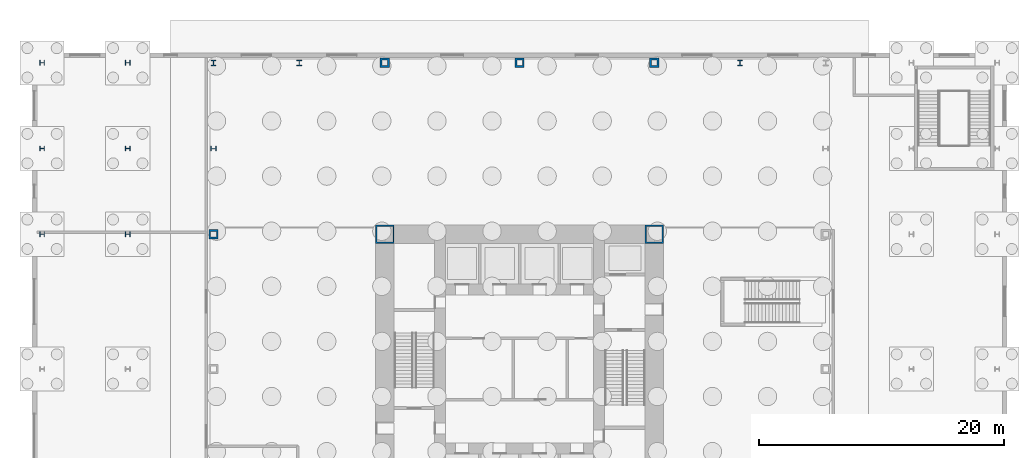
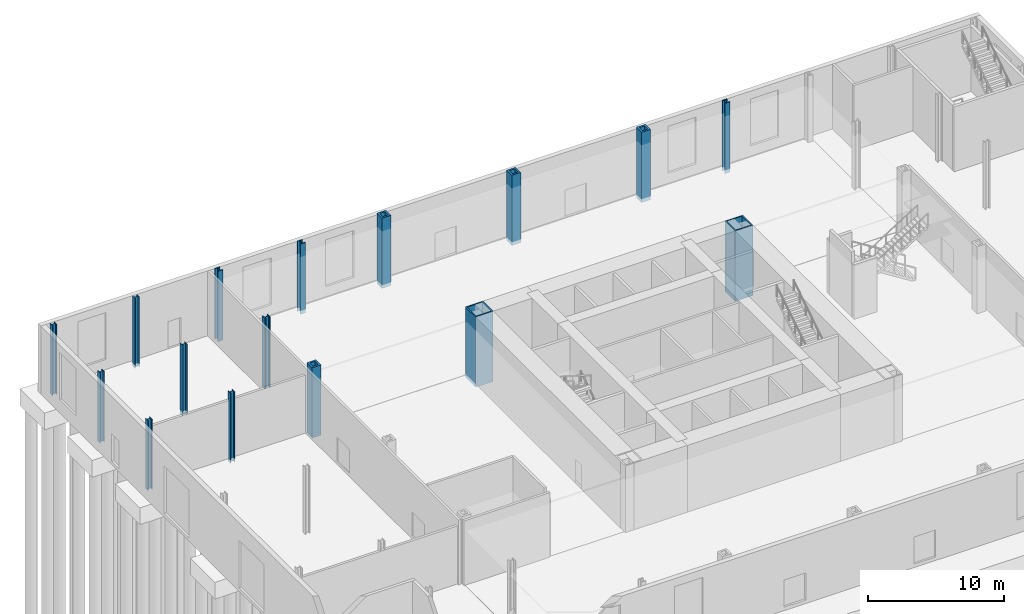
# One storey, part 5 of 16: 16 columns.
"""IFC4 building model written with IfcOpenShell, lengths in metres."""

from ifc_helpers import new_model, si_unit, direction, frame, origin, origin_2d, place, context, subcontext, project, spatial, hollow_rectangle, i_section, extrude, material, material_profile, profile_set, type_object, element, save


model = new_model("IFC4")

# Units and contexts
model_context = context("Model", 3, precision=1e-05, world=origin(), true_north=direction((0.0, 1.0)))
body_context = subcontext(model_context, "Body", "Model", "MODEL_VIEW")
ifc_project = project(units=[si_unit("LENGTHUNIT", "METRE"), si_unit("AREAUNIT", "SQUARE_METRE"), si_unit("VOLUMEUNIT", "CUBIC_METRE"), si_unit("PLANEANGLEUNIT", "RADIAN"), si_unit("MASSUNIT", "GRAM", prefix="KILO")], contexts=[model_context])

# Site, building, storey
site_placement = place(None, origin())
site = spatial("IfcSite", under=ifc_project, at=site_placement, CompositionType="ELEMENT")
building_placement = place(site_placement, origin())
building = spatial("IfcBuilding", under=site, at=building_placement, Name="Trevanion Tower", CompositionType="ELEMENT")
storey_placement = place(building_placement, origin())
storey = spatial("IfcBuildingStorey", under=building, at=storey_placement, Name="L00", CompositionType="ELEMENT", Elevation=0.0)

# Columns
ifc_material_1 = material(Name="Steel ASTM A588 Grade 50", Category="steel")
ifc_material_profile_1 = material_profile(ifc_material_1, hollow_rectangle(XDim=0.761962890625, YDim=0.761962890625, WallThickness=0.15234375, at=origin_2d()), Name="BOX30X30X6")
ifc_profile_set_1 = profile_set([ifc_material_profile_1], Name="Steel ASTM A588 Grade 50")
column_type_1 = type_object("IfcColumnType", Name="C1 BOX30X30X6", PredefinedType="COLUMN", material=ifc_profile_set_1)
for number, where, z_axis, x_axis, name in (
    (1, (11.0, 25.0, -0.300048828125), (0.0, 0.0, 1.0), (1.0, 0.0, 0.0), "C1 12/Q L00"),
    (2, (0.0, 25.0, -0.300048828125), (0.0, 0.0, 1.0), (1.0, 0.0, 0.0), "C1 10/Q L00"),
    (3, (-11.0, 25.0, -0.300048828125), (0.0, 0.0, 1.0), (1.0, 0.0, 0.0), "C1 8/Q L00"),
    (4, (-25.0, 11.0, -0.300048828125), (0.0, 0.0, 1.0), (0.0, 1.0, 0.0), "C1 3/K L00"),
):
    element("IfcColumn", number, at=place(storey_placement, frame(where, z_axis=z_axis, x_axis=x_axis)), inside=storey, type_object=column_type_1, Name=name, PredefinedType="COLUMN", context=body_context, shape_type="SweptSolid", body=[
        extrude(hollow_rectangle(XDim=0.761962890625, YDim=0.761962890625, WallThickness=0.15234375, at=origin_2d()), origin(), (0.0, 0.0, 1.0), 6.300048828125),
    ])
ifc_material_2 = material(Name="Steel ASTM A913 Grade 65", Category="steel")
ifc_material_profile_2 = material_profile(ifc_material_2, i_section(OverallWidth=0.4267578125, OverallDepth=0.482666015625, WebThickness=0.05126953125, FlangeThickness=0.08154296875, at=origin_2d()), Name="W14X455")
ifc_profile_set_2 = profile_set([ifc_material_profile_2], Name="Steel ASTM A913 Grade 65")
column_type_2 = type_object("IfcColumnType", Name="C2 W14X455", PredefinedType="COLUMN", material=ifc_profile_set_2)
for number, where, z_axis, x_axis, name in (
    (5, (18.0, 25.0, -0.300048828125), (0.0, 0.0, 1.0), (1.0, 0.0, 0.0), "C2 14/Q L00"),
    (6, (-18.0, 25.0, -0.300048828125), (0.0, 0.0, 1.0), (1.0, 0.0, 0.0), "C2 6/Q L00"),
    (7, (-25.0, 25.0, -0.300048828125), (0.0, 0.0, 1.0), (1.0, 0.0, 0.0), "C2 3/Q L00"),
    (8, (-25.0, 18.0, -0.300048828125), (0.0, 0.0, 1.0), (0.0, 1.0, 0.0), "C2 3/M L00"),
):
    element("IfcColumn", number, at=place(storey_placement, frame(where, z_axis=z_axis, x_axis=x_axis)), inside=storey, type_object=column_type_2, Name=name, PredefinedType="COLUMN", context=body_context, shape_type="SweptSolid", body=[
        extrude(i_section(OverallWidth=0.4267578125, OverallDepth=0.482666015625, WebThickness=0.05126953125, FlangeThickness=0.08154296875, at=origin_2d()), origin(), (0.0, 0.0, 1.0), 6.300048828125),
    ])
ifc_material_3 = material(Name="Steel ASTM A913 Grade 65", Category="steel")
ifc_material_profile_3 = material_profile(ifc_material_3, i_section(OverallWidth=0.393798828125, OverallDepth=0.3759765625, WebThickness=0.017333984375, FlangeThickness=0.027587890625, at=origin_2d()), Name="W14X145")
ifc_profile_set_3 = profile_set([ifc_material_profile_3], Name="Steel ASTM A913 Grade 65")
column_type_3 = type_object("IfcColumnType", Name="C3 W14X145", PredefinedType="COLUMN", material=ifc_profile_set_3)
for number, where, z_axis, x_axis, name in (
    (9, (-39.0, 11.0, -0.300048828125), (0.0, 0.0, 1.0), (0.0, 1.0, 0.0), "C3 1/K L00"),
    (10, (-39.0, 18.0, -0.300048828125), (0.0, 0.0, 1.0), (0.0, 1.0, 0.0), "C3 1/M L00"),
    (11, (-39.0, 25.0, -0.300048828125), (0.0, 0.0, 1.0), (0.0, 1.0, 0.0), "C3 1/Q L00"),
    (12, (-32.0, 11.0, -0.300048828125), (0.0, 0.0, 1.0), (0.0, 1.0, 0.0), "C3 2/K L00"),
    (13, (-32.0, 18.0, -0.300048828125), (0.0, 0.0, 1.0), (0.0, 1.0, 0.0), "C3 2/M L00"),
    (14, (-32.0, 25.0, -0.300048828125), (0.0, 0.0, 1.0), (0.0, 1.0, 0.0), "C3 2/Q L00"),
):
    element("IfcColumn", number, at=place(storey_placement, frame(where, z_axis=z_axis, x_axis=x_axis)), inside=storey, type_object=column_type_3, Name=name, PredefinedType="COLUMN", context=body_context, shape_type="SweptSolid", body=[
        extrude(i_section(OverallWidth=0.393798828125, OverallDepth=0.3759765625, WebThickness=0.017333984375, FlangeThickness=0.027587890625, at=origin_2d()), origin(), (0.0, 0.0, 1.0), 6.300048828125),
    ])
ifc_material_4 = material(Name="Steel ASTM A572 Grade 50", Category="steel")
ifc_material_profile_4 = material_profile(ifc_material_4, hollow_rectangle(XDim=1.49853515625, YDim=1.49853515625, WallThickness=0.1015625, at=origin_2d()), Name="BOX59X59X4")
ifc_profile_set_4 = profile_set([ifc_material_profile_4], Name="Steel ASTM A572 Grade 50")
column_type_4 = type_object("IfcColumnType", Name="CB1 BOX59X59X4", PredefinedType="COLUMN", material=ifc_profile_set_4)
for number, where, z_axis, x_axis, name in (
    (15, (11.0, 11.0, -0.300048828125), (0.0, 0.0, 1.0), (1.0, 0.0, 0.0), "CB1 NE L00"),
    (16, (-11.0, 11.0, -0.300048828125), (0.0, 0.0, 1.0), (1.0, 0.0, 0.0), "CB1 NW L00"),
):
    element("IfcColumn", number, at=place(storey_placement, frame(where, z_axis=z_axis, x_axis=x_axis)), inside=storey, type_object=column_type_4, Name=name, PredefinedType="COLUMN", context=body_context, shape_type="SweptSolid", body=[
        extrude(hollow_rectangle(XDim=1.49853515625, YDim=1.49853515625, WallThickness=0.1015625, at=origin_2d()), origin(), (0.0, 0.0, 1.0), 6.300048828125),
    ])

save(model, "model.ifc")
